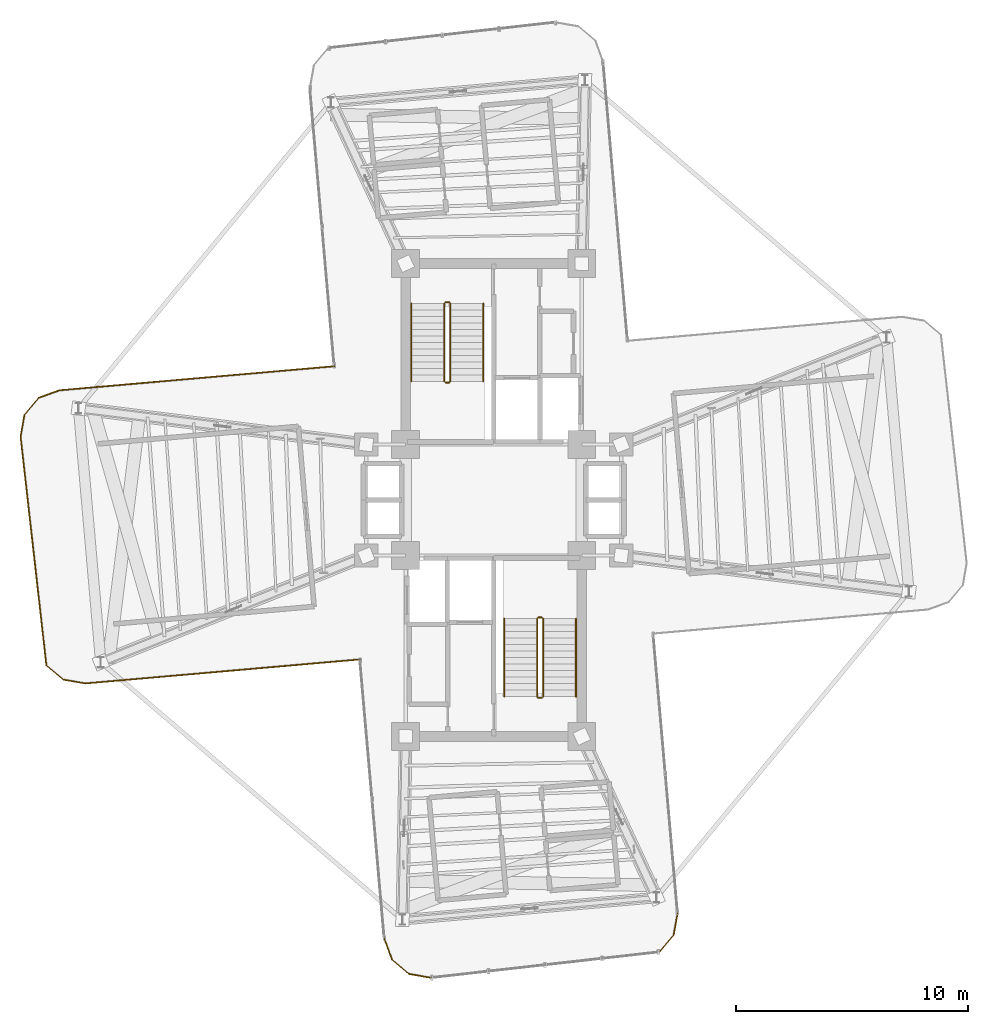
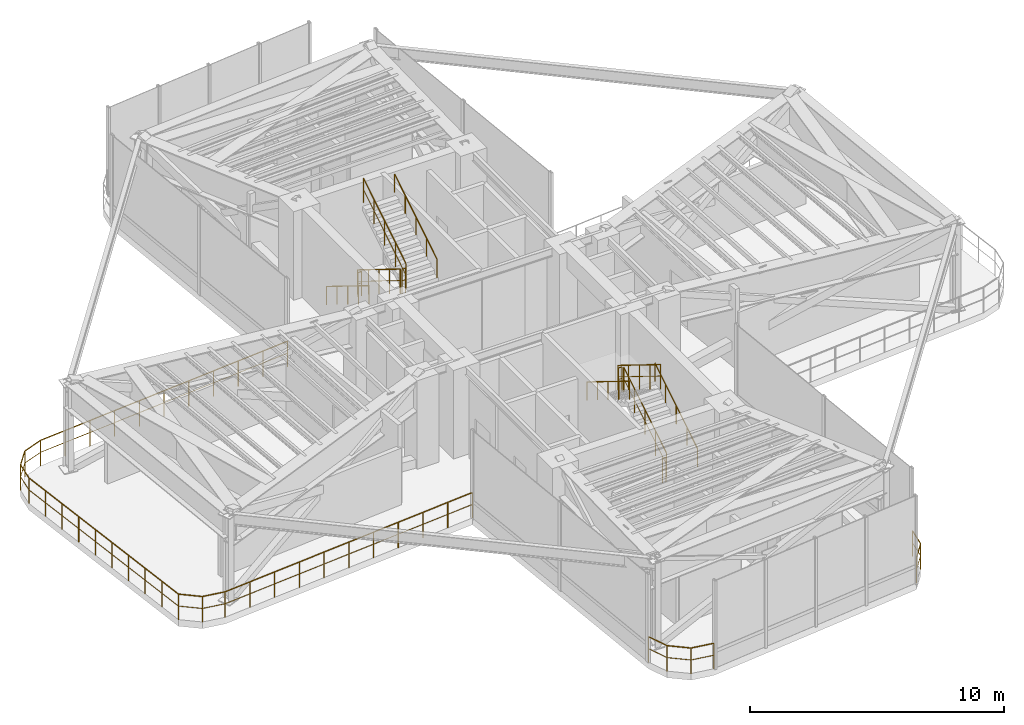
# One storey, part 16 of 17: 25 railings.
"""IFC4 building model written with IfcOpenShell, lengths in metres."""

from ifc_helpers import new_model, si_unit, direction, frame, origin, origin_2d, place, context, subcontext, project, spatial, circle, extrude, material, type_object, element, save


model = new_model("IFC4")

# Units and contexts
model_context = context("Model", 3, precision=1e-05, world=origin(), true_north=direction((0.0, 1.0)))
body_context = subcontext(model_context, "Body", "Model", "MODEL_VIEW")
ifc_project = project(units=[si_unit("LENGTHUNIT", "METRE"), si_unit("AREAUNIT", "SQUARE_METRE"), si_unit("VOLUMEUNIT", "CUBIC_METRE"), si_unit("PLANEANGLEUNIT", "RADIAN"), si_unit("MASSUNIT", "GRAM", prefix="KILO")], contexts=[model_context])

# Site, building, storey
site_placement = place(None, origin())
site = spatial("IfcSite", under=ifc_project, at=site_placement, CompositionType="ELEMENT")
building_placement = place(site_placement, origin())
building = spatial("IfcBuilding", under=site, at=building_placement, Name="Sahyath Konkavel Grand Hotel", CompositionType="ELEMENT")
storey_placement = place(building_placement, frame((0.0, 0.0, 202.0)))
storey = spatial("IfcBuildingStorey", under=building, at=storey_placement, Name="L56", CompositionType="ELEMENT", Elevation=202.0)

# Railings
ifc_material_1 = material(Name="Steel E350", Category="steel")
railing_type_1 = type_object("IfcRailingType", Name="RLG-STAIR-GRD", PredefinedType="GUARDRAIL", material=ifc_material_1)
railing_1_placement = place(storey_placement, frame((-2.1298828125, 8.47998046875, 0.173095703125)))
element("IfcRailing", 1, at=railing_1_placement, inside=storey, type_object=railing_type_1, Name="L56 ST-1 stair guard 1", PredefinedType="GUARDRAIL", context=body_context, shape_type="SweptSolid", body=[
    extrude(circle(Radius=0.02392578125, at=origin_2d()), frame((0.0, -0.001708984375, 1.177001953125), z_axis=(0.0, -0.850606129759, 0.525803396734), x_axis=(1.0, 0.0, 0.0)), (0.0, 0.0, 1.0), 3.946044921875),
    extrude(circle(Radius=0.01416015625, at=origin_2d()), frame((0.0, -0.001708984375, 0.625), z_axis=(0.0, -0.850606129759, 0.525803396734), x_axis=(1.0, 0.0, 0.0)), (0.0, 0.0, 1.0), 3.946044921875),
    extrude(circle(Radius=0.02099609375, at=origin_2d()), origin(), (0.0, 0.0, 1.0), 1.15185546875),
    extrude(circle(Radius=0.02099609375, at=origin_2d()), frame((0.0, -0.83984375, 0.519287109375)), (0.0, 0.0, 1.0), 1.15185546875),
    extrude(circle(Radius=0.02099609375, at=origin_2d()), frame((0.0, -1.679931640625, 1.03857421875)), (0.0, 0.0, 1.0), 1.15185546875),
    extrude(circle(Radius=0.02099609375, at=origin_2d()), frame((0.0, -2.52001953125, 1.5576171875)), (0.0, 0.0, 1.0), 1.15185546875),
    extrude(circle(Radius=0.02099609375, at=origin_2d()), frame((0.0, -3.35986328125, 2.076904296875)), (0.0, 0.0, 1.0), 1.15185546875),
])
railing_2_placement = place(storey_placement, frame((-2.080078125, 5.070068359375, 2.25)))
element("IfcRailing", 2, at=railing_2_placement, inside=storey, type_object=railing_type_1, Name="L56 ST-1 stair guard 2", PredefinedType="GUARDRAIL", context=body_context, shape_type="SweptSolid", body=[
    extrude(circle(Radius=0.02392578125, at=origin_2d()), frame((0.001953125, 0.0, 1.17578125), z_axis=(1.0, 0.0, 0.0), x_axis=(0.0, 1.0, 0.0)), (0.0, 0.0, 1.0), 0.15625),
    extrude(circle(Radius=0.01416015625, at=origin_2d()), frame((0.001953125, 0.0, 0.6240234375), z_axis=(1.0, 0.0, 0.0), x_axis=(0.0, 1.0, 0.0)), (0.0, 0.0, 1.0), 0.15625),
    extrude(circle(Radius=0.02099609375, at=origin_2d()), origin(), (0.0, 0.0, 1.0), 1.15185546875),
    extrude(circle(Radius=0.02099609375, at=origin_2d()), frame((0.16015625, 0.0, 0.0)), (0.0, 0.0, 1.0), 1.15185546875),
])
railing_3_placement = place(storey_placement, frame((-1.8701171875, 5.1201171875, 2.423095703125)))
element("IfcRailing", 3, at=railing_3_placement, inside=storey, type_object=railing_type_1, Name="L56 ST-1 stair guard 3", PredefinedType="GUARDRAIL", context=body_context, shape_type="SweptSolid", body=[
    extrude(circle(Radius=0.02392578125, at=origin_2d()), frame((0.0, 0.001708984375, 1.177001953125), z_axis=(0.0, 0.850606129759, 0.525803396734), x_axis=(-1.0, 0.0, 0.0)), (0.0, 0.0, 1.0), 3.946044921875),
    extrude(circle(Radius=0.01416015625, at=origin_2d()), frame((0.0, 0.001708984375, 0.625), z_axis=(0.0, 0.850606129759, 0.525803396734), x_axis=(-1.0, 0.0, 0.0)), (0.0, 0.0, 1.0), 3.946044921875),
    extrude(circle(Radius=0.02099609375, at=origin_2d()), origin(), (0.0, 0.0, 1.0), 1.15185546875),
    extrude(circle(Radius=0.02099609375, at=origin_2d()), frame((0.0, 0.83984375, 0.519287109375)), (0.0, 0.0, 1.0), 1.15185546875),
    extrude(circle(Radius=0.02099609375, at=origin_2d()), frame((0.0, 1.679931640625, 1.03857421875)), (0.0, 0.0, 1.0), 1.15185546875),
    extrude(circle(Radius=0.02099609375, at=origin_2d()), frame((0.0, 2.52001953125, 1.5576171875)), (0.0, 0.0, 1.0), 1.15185546875),
    extrude(circle(Radius=0.02099609375, at=origin_2d()), frame((0.0, 3.35986328125, 2.076904296875)), (0.0, 0.0, 1.0), 1.15185546875),
])
railing_4_placement = place(storey_placement, frame((-2.080078125, 8.530029296875, 0.0)))
element("IfcRailing", 4, at=railing_4_placement, inside=storey, type_object=railing_type_1, Name="L56 ST-1 stair guard 4", PredefinedType="GUARDRAIL", context=body_context, shape_type="SweptSolid", body=[
    extrude(circle(Radius=0.02392578125, at=origin_2d()), frame((0.001953125, 0.0, 1.17578125), z_axis=(1.0, 0.0, 0.0), x_axis=(0.0, 1.0, 0.0)), (0.0, 0.0, 1.0), 0.15625),
    extrude(circle(Radius=0.01416015625, at=origin_2d()), frame((0.001953125, 0.0, 0.6240234375), z_axis=(1.0, 0.0, 0.0), x_axis=(0.0, 1.0, 0.0)), (0.0, 0.0, 1.0), 0.15625),
    extrude(circle(Radius=0.02099609375, at=origin_2d()), origin(), (0.0, 0.0, 1.0), 1.15185546875),
    extrude(circle(Radius=0.02099609375, at=origin_2d()), frame((0.16015625, 0.0, 0.0)), (0.0, 0.0, 1.0), 1.15185546875),
])
railing_5_placement = place(storey_placement, frame((2.1298828125, -8.47998046875, 0.173095703125)))
element("IfcRailing", 5, at=railing_5_placement, inside=storey, type_object=railing_type_1, Name="L56 ST-2 stair guard 1", PredefinedType="GUARDRAIL", context=body_context, shape_type="SweptSolid", body=[
    extrude(circle(Radius=0.02392578125, at=origin_2d()), frame((0.0, 0.001708984375, 1.177001953125), z_axis=(0.0, 0.850606129759, 0.525803396734), x_axis=(-1.0, 0.0, 0.0)), (0.0, 0.0, 1.0), 3.946044921875),
    extrude(circle(Radius=0.01416015625, at=origin_2d()), frame((0.0, 0.001708984375, 0.625), z_axis=(0.0, 0.850606129759, 0.525803396734), x_axis=(-1.0, 0.0, 0.0)), (0.0, 0.0, 1.0), 3.946044921875),
    extrude(circle(Radius=0.02099609375, at=origin_2d()), origin(), (0.0, 0.0, 1.0), 1.15185546875),
    extrude(circle(Radius=0.02099609375, at=origin_2d()), frame((0.0, 0.83984375, 0.519287109375)), (0.0, 0.0, 1.0), 1.15185546875),
    extrude(circle(Radius=0.02099609375, at=origin_2d()), frame((0.0, 1.679931640625, 1.03857421875)), (0.0, 0.0, 1.0), 1.15185546875),
    extrude(circle(Radius=0.02099609375, at=origin_2d()), frame((0.0, 2.52001953125, 1.5576171875)), (0.0, 0.0, 1.0), 1.15185546875),
    extrude(circle(Radius=0.02099609375, at=origin_2d()), frame((0.0, 3.35986328125, 2.076904296875)), (0.0, 0.0, 1.0), 1.15185546875),
])
railing_6_placement = place(storey_placement, frame((2.080078125, -5.070068359375, 2.25)))
element("IfcRailing", 6, at=railing_6_placement, inside=storey, type_object=railing_type_1, Name="L56 ST-2 stair guard 2", PredefinedType="GUARDRAIL", context=body_context, shape_type="SweptSolid", body=[
    extrude(circle(Radius=0.02392578125, at=origin_2d()), frame((-0.001953125, 0.0, 1.17578125), z_axis=(-1.0, 0.0, 0.0), x_axis=(0.0, -1.0, 0.0)), (0.0, 0.0, 1.0), 0.15625),
    extrude(circle(Radius=0.01416015625, at=origin_2d()), frame((-0.001953125, 0.0, 0.6240234375), z_axis=(-1.0, 0.0, 0.0), x_axis=(0.0, -1.0, 0.0)), (0.0, 0.0, 1.0), 0.15625),
    extrude(circle(Radius=0.02099609375, at=origin_2d()), origin(), (0.0, 0.0, 1.0), 1.15185546875),
    extrude(circle(Radius=0.02099609375, at=origin_2d()), frame((-0.16015625, 0.0, 0.0)), (0.0, 0.0, 1.0), 1.15185546875),
])
railing_7_placement = place(storey_placement, frame((1.8701171875, -5.1201171875, 2.423095703125)))
element("IfcRailing", 7, at=railing_7_placement, inside=storey, type_object=railing_type_1, Name="L56 ST-2 stair guard 3", PredefinedType="GUARDRAIL", context=body_context, shape_type="SweptSolid", body=[
    extrude(circle(Radius=0.02392578125, at=origin_2d()), frame((0.0, -0.001708984375, 1.177001953125), z_axis=(0.0, -0.850606129759, 0.525803396734), x_axis=(1.0, 0.0, 0.0)), (0.0, 0.0, 1.0), 3.946044921875),
    extrude(circle(Radius=0.01416015625, at=origin_2d()), frame((0.0, -0.001708984375, 0.625), z_axis=(0.0, -0.850606129759, 0.525803396734), x_axis=(1.0, 0.0, 0.0)), (0.0, 0.0, 1.0), 3.946044921875),
    extrude(circle(Radius=0.02099609375, at=origin_2d()), origin(), (0.0, 0.0, 1.0), 1.15185546875),
    extrude(circle(Radius=0.02099609375, at=origin_2d()), frame((0.0, -0.83984375, 0.519287109375)), (0.0, 0.0, 1.0), 1.15185546875),
    extrude(circle(Radius=0.02099609375, at=origin_2d()), frame((0.0, -1.679931640625, 1.03857421875)), (0.0, 0.0, 1.0), 1.15185546875),
    extrude(circle(Radius=0.02099609375, at=origin_2d()), frame((0.0, -2.52001953125, 1.5576171875)), (0.0, 0.0, 1.0), 1.15185546875),
    extrude(circle(Radius=0.02099609375, at=origin_2d()), frame((0.0, -3.35986328125, 2.076904296875)), (0.0, 0.0, 1.0), 1.15185546875),
])
railing_8_placement = place(storey_placement, frame((2.080078125, -8.530029296875, 0.0)))
element("IfcRailing", 8, at=railing_8_placement, inside=storey, type_object=railing_type_1, Name="L56 ST-2 stair guard 4", PredefinedType="GUARDRAIL", context=body_context, shape_type="SweptSolid", body=[
    extrude(circle(Radius=0.02392578125, at=origin_2d()), frame((-0.001953125, 0.0, 1.17578125), z_axis=(-1.0, 0.0, 0.0), x_axis=(0.0, -1.0, 0.0)), (0.0, 0.0, 1.0), 0.15625),
    extrude(circle(Radius=0.01416015625, at=origin_2d()), frame((-0.001953125, 0.0, 0.6240234375), z_axis=(-1.0, 0.0, 0.0), x_axis=(0.0, -1.0, 0.0)), (0.0, 0.0, 1.0), 0.15625),
    extrude(circle(Radius=0.02099609375, at=origin_2d()), origin(), (0.0, 0.0, 1.0), 1.15185546875),
    extrude(circle(Radius=0.02099609375, at=origin_2d()), frame((-0.16015625, 0.0, 0.0)), (0.0, 0.0, 1.0), 1.15185546875),
])
ifc_material_2 = material(Name="Anodised Bronze Aluminium", Category="aluminium")
railing_type_2 = type_object("IfcRailingType", Name="RLG-STAIR-HND", PredefinedType="HANDRAIL", material=ifc_material_2)
railing_9_placement = place(storey_placement, frame((-3.550048828125, 8.47998046875, 0.173095703125)))
element("IfcRailing", 9, at=railing_9_placement, inside=storey, type_object=railing_type_2, Name="L56 ST-1 stair handrail 1", PredefinedType="HANDRAIL", context=body_context, shape_type="SweptSolid", body=[
    extrude(circle(Radius=0.02392578125, at=origin_2d()), frame((0.0, -0.001708984375, 0.876953125), z_axis=(0.0, -0.850606129759, 0.525803396734), x_axis=(1.0, 0.0, 0.0)), (0.0, 0.0, 1.0), 3.946044921875),
    extrude(circle(Radius=0.02099609375, at=origin_2d()), origin(), (0.0, 0.0, 1.0), 0.851806640625),
    extrude(circle(Radius=0.02099609375, at=origin_2d()), frame((0.0, -0.83984375, 0.519287109375)), (0.0, 0.0, 1.0), 0.851806640625),
    extrude(circle(Radius=0.02099609375, at=origin_2d()), frame((0.0, -1.679931640625, 1.03857421875)), (0.0, 0.0, 1.0), 0.851806640625),
    extrude(circle(Radius=0.02099609375, at=origin_2d()), frame((0.0, -2.52001953125, 1.5576171875)), (0.0, 0.0, 1.0), 0.851806640625),
    extrude(circle(Radius=0.02099609375, at=origin_2d()), frame((0.0, -3.35986328125, 2.076904296875)), (0.0, 0.0, 1.0), 0.851806640625),
])
for number, where, name in (
    (10, (-0.449951171875, 5.1201171875, 2.423095703125), "L56 ST-1 stair handrail 2"),
    (11, (3.550048828125, -8.47998046875, 0.173095703125), "L56 ST-2 stair handrail 1"),
):
    element("IfcRailing", number, at=place(storey_placement, frame(where)), inside=storey, type_object=railing_type_2, Name=name, PredefinedType="HANDRAIL", context=body_context, shape_type="SweptSolid", body=[
        extrude(circle(Radius=0.02392578125, at=origin_2d()), frame((0.0, 0.001708984375, 0.876953125), z_axis=(0.0, 0.850606129759, 0.525803396734), x_axis=(-1.0, 0.0, 0.0)), (0.0, 0.0, 1.0), 3.946044921875),
        extrude(circle(Radius=0.02099609375, at=origin_2d()), origin(), (0.0, 0.0, 1.0), 0.851806640625),
        extrude(circle(Radius=0.02099609375, at=origin_2d()), frame((0.0, 0.83984375, 0.519287109375)), (0.0, 0.0, 1.0), 0.851806640625),
        extrude(circle(Radius=0.02099609375, at=origin_2d()), frame((0.0, 1.679931640625, 1.03857421875)), (0.0, 0.0, 1.0), 0.851806640625),
        extrude(circle(Radius=0.02099609375, at=origin_2d()), frame((0.0, 2.52001953125, 1.5576171875)), (0.0, 0.0, 1.0), 0.851806640625),
        extrude(circle(Radius=0.02099609375, at=origin_2d()), frame((0.0, 3.35986328125, 2.076904296875)), (0.0, 0.0, 1.0), 0.851806640625),
    ])
railing_10_placement = place(storey_placement, frame((0.449951171875, -5.1201171875, 2.423095703125)))
element("IfcRailing", 12, at=railing_10_placement, inside=storey, type_object=railing_type_2, Name="L56 ST-2 stair handrail 2", PredefinedType="HANDRAIL", context=body_context, shape_type="SweptSolid", body=[
    extrude(circle(Radius=0.02392578125, at=origin_2d()), frame((0.0, -0.001708984375, 0.876953125), z_axis=(0.0, -0.850606129759, 0.525803396734), x_axis=(1.0, 0.0, 0.0)), (0.0, 0.0, 1.0), 3.946044921875),
    extrude(circle(Radius=0.02099609375, at=origin_2d()), origin(), (0.0, 0.0, 1.0), 0.851806640625),
    extrude(circle(Radius=0.02099609375, at=origin_2d()), frame((0.0, -0.83984375, 0.519287109375)), (0.0, 0.0, 1.0), 0.851806640625),
    extrude(circle(Radius=0.02099609375, at=origin_2d()), frame((0.0, -1.679931640625, 1.03857421875)), (0.0, 0.0, 1.0), 0.851806640625),
    extrude(circle(Radius=0.02099609375, at=origin_2d()), frame((0.0, -2.52001953125, 1.5576171875)), (0.0, 0.0, 1.0), 0.851806640625),
    extrude(circle(Radius=0.02099609375, at=origin_2d()), frame((0.0, -3.35986328125, 2.076904296875)), (0.0, 0.0, 1.0), 0.851806640625),
])
ifc_material_3 = material(Name="Warm Buff Sandstone & Bronze Balustrade", Category="masonry")
railing_type_3 = type_object("IfcRailingType", Name="RLG-TERR-1250", PredefinedType="BALUSTRADE", material=ifc_material_3)
railing_11_placement = place(storey_placement, frame((-6.87939453125, 5.7724609375, 0.0)))
element("IfcRailing", 13, at=railing_11_placement, inside=storey, type_object=railing_type_3, Name="L56 Fire Refuge Perimeter Guard 16", PredefinedType="BALUSTRADE", context=body_context, shape_type="SweptSolid", body=[
    extrude(circle(Radius=0.02392578125, at=origin_2d()), frame((-0.001953125, -0.000244140625, 1.22607421875), z_axis=(-0.996193093931, -0.08717407645, 0.0), x_axis=(0.08717407645, -0.996193093931, 0.0)), (0.0, 0.0, 1.0), 11.895751953125),
    extrude(circle(Radius=0.01416015625, at=origin_2d()), frame((-0.001953125, -0.000244140625, 0.64990234375), z_axis=(-0.996193093931, -0.08717407645, 0.0), x_axis=(0.08717407645, -0.996193093931, 0.0)), (0.0, 0.0, 1.0), 11.895751953125),
    extrude(circle(Radius=0.02099609375, at=origin_2d()), origin(), (0.0, 0.0, 1.0), 1.201904296875),
    extrude(circle(Radius=0.02099609375, at=origin_2d()), frame((-1.185546875, -0.103759765625, 0.0)), (0.0, 0.0, 1.0), 1.201904296875),
    extrude(circle(Radius=0.02099609375, at=origin_2d()), frame((-2.370849609375, -0.20751953125, 0.0)), (0.0, 0.0, 1.0), 1.201904296875),
    extrude(circle(Radius=0.02099609375, at=origin_2d()), frame((-3.556396484375, -0.311279296875, 0.0)), (0.0, 0.0, 1.0), 1.201904296875),
    extrude(circle(Radius=0.02099609375, at=origin_2d()), frame((-4.74169921875, -0.4150390625, 0.0)), (0.0, 0.0, 1.0), 1.201904296875),
    extrude(circle(Radius=0.02099609375, at=origin_2d()), frame((-5.92724609375, -0.5185546875, 0.0)), (0.0, 0.0, 1.0), 1.201904296875),
    extrude(circle(Radius=0.02099609375, at=origin_2d()), frame((-7.11279296875, -0.622314453125, 0.0)), (0.0, 0.0, 1.0), 1.201904296875),
    extrude(circle(Radius=0.02099609375, at=origin_2d()), frame((-8.298095703125, -0.72607421875, 0.0)), (0.0, 0.0, 1.0), 1.201904296875),
    extrude(circle(Radius=0.02099609375, at=origin_2d()), frame((-9.483642578125, -0.829833984375, 0.0)), (0.0, 0.0, 1.0), 1.201904296875),
    extrude(circle(Radius=0.02099609375, at=origin_2d()), frame((-10.6689453125, -0.93359375, 0.0)), (0.0, 0.0, 1.0), 1.201904296875),
    extrude(circle(Radius=0.02099609375, at=origin_2d()), frame((-11.8544921875, -1.037353515625, 0.0)), (0.0, 0.0, 1.0), 1.201904296875),
])
railing_12_placement = place(storey_placement, frame((-18.73388671875, 4.735107421875, 0.0)))
element("IfcRailing", 14, at=railing_12_placement, inside=storey, type_object=railing_type_3, Name="L56 Fire Refuge Perimeter Guard 17", PredefinedType="BALUSTRADE", context=body_context, shape_type="SweptSolid", body=[
    extrude(circle(Radius=0.02392578125, at=origin_2d()), frame((-0.001953125, -0.000732421875, 1.22607421875), z_axis=(-0.939741306239, -0.34188635151, 0.0), x_axis=(0.34188635151, -0.939741306239, 0.0)), (0.0, 0.0, 1.0), 0.95361328125),
    extrude(circle(Radius=0.01416015625, at=origin_2d()), frame((-0.001953125, -0.000732421875, 0.64990234375), z_axis=(-0.939741306239, -0.34188635151, 0.0), x_axis=(0.34188635151, -0.939741306239, 0.0)), (0.0, 0.0, 1.0), 0.95361328125),
    extrude(circle(Radius=0.02099609375, at=origin_2d()), origin(), (0.0, 0.0, 1.0), 1.201904296875),
    extrude(circle(Radius=0.02099609375, at=origin_2d()), frame((-0.89990234375, -0.327392578125, 0.0)), (0.0, 0.0, 1.0), 1.201904296875),
])
railing_13_placement = place(storey_placement, frame((-19.6337890625, 4.40771484375, 0.0)))
element("IfcRailing", 15, at=railing_13_placement, inside=storey, type_object=railing_type_3, Name="L56 Fire Refuge Perimeter Guard 18", PredefinedType="BALUSTRADE", context=body_context, shape_type="SweptSolid", body=[
    extrude(circle(Radius=0.02392578125, at=origin_2d()), frame((-0.001220703125, -0.00146484375, 1.22607421875), z_axis=(-0.642863236823, -0.765980978054, 0.0), x_axis=(0.765980978054, -0.642863236823, 0.0)), (0.0, 0.0, 1.0), 0.953857421875),
    extrude(circle(Radius=0.01416015625, at=origin_2d()), frame((-0.001220703125, -0.00146484375, 0.64990234375), z_axis=(-0.642863236823, -0.765980978054, 0.0), x_axis=(0.765980978054, -0.642863236823, 0.0)), (0.0, 0.0, 1.0), 0.953857421875),
    extrude(circle(Radius=0.02099609375, at=origin_2d()), origin(), (0.0, 0.0, 1.0), 1.201904296875),
    extrude(circle(Radius=0.02099609375, at=origin_2d()), frame((-0.61572265625, -0.733642578125, 0.0)), (0.0, 0.0, 1.0), 1.201904296875),
])
railing_14_placement = place(storey_placement, frame((-20.24951171875, 3.674072265625, 0.0)))
element("IfcRailing", 16, at=railing_14_placement, inside=storey, type_object=railing_type_3, Name="L56 Fire Refuge Perimeter Guard 19", PredefinedType="BALUSTRADE", context=body_context, shape_type="SweptSolid", body=[
    extrude(circle(Radius=0.02392578125, at=origin_2d()), frame((-0.000244140625, -0.001953125, 1.22607421875), z_axis=(-0.173610811841, -0.984814340885, 0.0), x_axis=(0.984814340885, -0.173610811841, 0.0)), (0.0, 0.0, 1.0), 0.95361328125),
    extrude(circle(Radius=0.01416015625, at=origin_2d()), frame((-0.000244140625, -0.001953125, 0.64990234375), z_axis=(-0.173610811841, -0.984814340885, 0.0), x_axis=(0.984814340885, -0.173610811841, 0.0)), (0.0, 0.0, 1.0), 0.95361328125),
    extrude(circle(Radius=0.02099609375, at=origin_2d()), origin(), (0.0, 0.0, 1.0), 1.201904296875),
    extrude(circle(Radius=0.02099609375, at=origin_2d()), frame((-0.166259765625, -0.943115234375, 0.0)), (0.0, 0.0, 1.0), 1.201904296875),
])
railing_15_placement = place(storey_placement, frame((-20.415771484375, 2.73095703125, 0.0)))
element("IfcRailing", 17, at=railing_15_placement, inside=storey, type_object=railing_type_3, Name="L56 Fire Refuge Perimeter Guard 20", PredefinedType="BALUSTRADE", context=body_context, shape_type="SweptSolid", body=[
    extrude(circle(Radius=0.02392578125, at=origin_2d()), frame((0.000244140625, -0.001953125, 1.22607421875), z_axis=(0.112013021746, -0.993706738912, 0.0), x_axis=(0.993706738912, 0.112013021746, 0.0)), (0.0, 0.0, 1.0), 9.924072265625),
    extrude(circle(Radius=0.01416015625, at=origin_2d()), frame((0.000244140625, -0.001953125, 0.64990234375), z_axis=(0.112013021746, -0.993706738912, 0.0), x_axis=(0.993706738912, 0.112013021746, 0.0)), (0.0, 0.0, 1.0), 9.924072265625),
    extrude(circle(Radius=0.02099609375, at=origin_2d()), origin(), (0.0, 0.0, 1.0), 1.201904296875),
    extrude(circle(Radius=0.02099609375, at=origin_2d()), frame((0.12353515625, -1.09619140625, 0.0)), (0.0, 0.0, 1.0), 1.201904296875),
    extrude(circle(Radius=0.02099609375, at=origin_2d()), frame((0.2470703125, -2.1923828125, 0.0)), (0.0, 0.0, 1.0), 1.201904296875),
    extrude(circle(Radius=0.02099609375, at=origin_2d()), frame((0.37060546875, -3.28857421875, 0.0)), (0.0, 0.0, 1.0), 1.201904296875),
    extrude(circle(Radius=0.02099609375, at=origin_2d()), frame((0.494140625, -4.384765625, 0.0)), (0.0, 0.0, 1.0), 1.201904296875),
    extrude(circle(Radius=0.02099609375, at=origin_2d()), frame((0.617919921875, -5.480712890625, 0.0)), (0.0, 0.0, 1.0), 1.201904296875),
    extrude(circle(Radius=0.02099609375, at=origin_2d()), frame((0.741455078125, -6.576904296875, 0.0)), (0.0, 0.0, 1.0), 1.201904296875),
    extrude(circle(Radius=0.02099609375, at=origin_2d()), frame((0.864990234375, -7.673095703125, 0.0)), (0.0, 0.0, 1.0), 1.201904296875),
    extrude(circle(Radius=0.02099609375, at=origin_2d()), frame((0.988525390625, -8.769287109375, 0.0)), (0.0, 0.0, 1.0), 1.201904296875),
    extrude(circle(Radius=0.02099609375, at=origin_2d()), frame((1.112060546875, -9.865478515625, 0.0)), (0.0, 0.0, 1.0), 1.201904296875),
])
railing_16_placement = place(storey_placement, frame((-19.3037109375, -7.134521484375, 0.0)))
element("IfcRailing", 18, at=railing_16_placement, inside=storey, type_object=railing_type_3, Name="L56 Fire Refuge Perimeter Guard 21", PredefinedType="BALUSTRADE", context=body_context, shape_type="SweptSolid", body=[
    extrude(circle(Radius=0.02392578125, at=origin_2d()), frame((0.00146484375, -0.001220703125, 1.22607421875), z_axis=(0.766001159887, -0.642839189107, 0.0), x_axis=(0.642839189107, 0.766001159887, 0.0)), (0.0, 0.0, 1.0), 0.953369140625),
    extrude(circle(Radius=0.01416015625, at=origin_2d()), frame((0.00146484375, -0.001220703125, 0.64990234375), z_axis=(0.766001159887, -0.642839189107, 0.0), x_axis=(0.642839189107, 0.766001159887, 0.0)), (0.0, 0.0, 1.0), 0.953369140625),
    extrude(circle(Radius=0.02099609375, at=origin_2d()), origin(), (0.0, 0.0, 1.0), 1.201904296875),
    extrude(circle(Radius=0.02099609375, at=origin_2d()), frame((0.7333984375, -0.615478515625, 0.0)), (0.0, 0.0, 1.0), 1.201904296875),
])
railing_17_placement = place(storey_placement, frame((-18.5703125, -7.75, 0.0)))
element("IfcRailing", 19, at=railing_17_placement, inside=storey, type_object=railing_type_3, Name="L56 Fire Refuge Perimeter Guard 22", PredefinedType="BALUSTRADE", context=body_context, shape_type="SweptSolid", body=[
    extrude(circle(Radius=0.02392578125, at=origin_2d()), frame((0.001953125, -0.000244140625, 1.22607421875), z_axis=(0.984770724397, -0.173858046606, 0.0), x_axis=(0.173858046606, 0.984770724397, 0.0)), (0.0, 0.0, 1.0), 0.95361328125),
    extrude(circle(Radius=0.01416015625, at=origin_2d()), frame((0.001953125, -0.000244140625, 0.64990234375), z_axis=(0.984770724397, -0.173858046606, 0.0), x_axis=(0.173858046606, 0.984770724397, 0.0)), (0.0, 0.0, 1.0), 0.95361328125),
    extrude(circle(Radius=0.02099609375, at=origin_2d()), origin(), (0.0, 0.0, 1.0), 1.201904296875),
    extrude(circle(Radius=0.02099609375, at=origin_2d()), frame((0.943115234375, -0.16650390625, 0.0)), (0.0, 0.0, 1.0), 1.201904296875),
])
railing_18_placement = place(storey_placement, frame((-17.627197265625, -7.91650390625, 0.0)))
element("IfcRailing", 20, at=railing_18_placement, inside=storey, type_object=railing_type_3, Name="L56 Fire Refuge Perimeter Guard 23", PredefinedType="BALUSTRADE", context=body_context, shape_type="SweptSolid", body=[
    extrude(circle(Radius=0.02392578125, at=origin_2d()), frame((0.001953125, 0.000244140625, 1.22607421875), z_axis=(0.996195031246, 0.08715193469, 0.0), x_axis=(-0.08715193469, 0.996195031246, 0.0)), (0.0, 0.0, 1.0), 11.89599609375),
    extrude(circle(Radius=0.01416015625, at=origin_2d()), frame((0.001953125, 0.000244140625, 0.64990234375), z_axis=(0.996195031246, 0.08715193469, 0.0), x_axis=(-0.08715193469, 0.996195031246, 0.0)), (0.0, 0.0, 1.0), 11.89599609375),
    extrude(circle(Radius=0.02099609375, at=origin_2d()), origin(), (0.0, 0.0, 1.0), 1.201904296875),
    extrude(circle(Radius=0.02099609375, at=origin_2d()), frame((1.185546875, 0.103759765625, 0.0)), (0.0, 0.0, 1.0), 1.201904296875),
    extrude(circle(Radius=0.02099609375, at=origin_2d()), frame((2.370849609375, 0.20751953125, 0.0)), (0.0, 0.0, 1.0), 1.201904296875),
    extrude(circle(Radius=0.02099609375, at=origin_2d()), frame((3.556396484375, 0.31103515625, 0.0)), (0.0, 0.0, 1.0), 1.201904296875),
    extrude(circle(Radius=0.02099609375, at=origin_2d()), frame((4.741943359375, 0.414794921875, 0.0)), (0.0, 0.0, 1.0), 1.201904296875),
    extrude(circle(Radius=0.02099609375, at=origin_2d()), frame((5.92724609375, 0.5185546875, 0.0)), (0.0, 0.0, 1.0), 1.201904296875),
    extrude(circle(Radius=0.02099609375, at=origin_2d()), frame((7.11279296875, 0.622314453125, 0.0)), (0.0, 0.0, 1.0), 1.201904296875),
    extrude(circle(Radius=0.02099609375, at=origin_2d()), frame((8.29833984375, 0.72607421875, 0.0)), (0.0, 0.0, 1.0), 1.201904296875),
    extrude(circle(Radius=0.02099609375, at=origin_2d()), frame((9.48388671875, 0.82958984375, 0.0)), (0.0, 0.0, 1.0), 1.201904296875),
    extrude(circle(Radius=0.02099609375, at=origin_2d()), frame((10.669189453125, 0.933349609375, 0.0)), (0.0, 0.0, 1.0), 1.201904296875),
    extrude(circle(Radius=0.02099609375, at=origin_2d()), frame((11.854736328125, 1.037109375, 0.0)), (0.0, 0.0, 1.0), 1.201904296875),
])
railing_19_placement = place(storey_placement, frame((-4.7177734375, -18.93310546875, 0.0)))
element("IfcRailing", 21, at=railing_19_placement, inside=storey, type_object=railing_type_3, Name="L56 Fire Refuge Perimeter Guard 25", PredefinedType="BALUSTRADE", context=body_context, shape_type="SweptSolid", body=[
    extrude(circle(Radius=0.02392578125, at=origin_2d()), frame((0.000732421875, -0.001953125, 1.22607421875), z_axis=(0.34188635151, -0.939741306239, 0.0), x_axis=(0.939741306239, 0.34188635151, 0.0)), (0.0, 0.0, 1.0), 0.95361328125),
    extrude(circle(Radius=0.01416015625, at=origin_2d()), frame((0.000732421875, -0.001953125, 0.64990234375), z_axis=(0.34188635151, -0.939741306239, 0.0), x_axis=(0.939741306239, 0.34188635151, 0.0)), (0.0, 0.0, 1.0), 0.95361328125),
    extrude(circle(Radius=0.02099609375, at=origin_2d()), origin(), (0.0, 0.0, 1.0), 1.201904296875),
    extrude(circle(Radius=0.02099609375, at=origin_2d()), frame((0.327392578125, -0.89990234375, 0.0)), (0.0, 0.0, 1.0), 1.201904296875),
])
railing_20_placement = place(storey_placement, frame((-4.390380859375, -19.8330078125, 0.0)))
element("IfcRailing", 22, at=railing_20_placement, inside=storey, type_object=railing_type_3, Name="L56 Fire Refuge Perimeter Guard 26", PredefinedType="BALUSTRADE", context=body_context, shape_type="SweptSolid", body=[
    extrude(circle(Radius=0.02392578125, at=origin_2d()), frame((0.00146484375, -0.001220703125, 1.22607421875), z_axis=(0.765980978054, -0.642863236823, 0.0), x_axis=(0.642863236823, 0.765980978054, 0.0)), (0.0, 0.0, 1.0), 0.953857421875),
    extrude(circle(Radius=0.01416015625, at=origin_2d()), frame((0.00146484375, -0.001220703125, 0.64990234375), z_axis=(0.765980978054, -0.642863236823, 0.0), x_axis=(0.642863236823, 0.765980978054, 0.0)), (0.0, 0.0, 1.0), 0.953857421875),
    extrude(circle(Radius=0.02099609375, at=origin_2d()), origin(), (0.0, 0.0, 1.0), 1.201904296875),
    extrude(circle(Radius=0.02099609375, at=origin_2d()), frame((0.733642578125, -0.61572265625, 0.0)), (0.0, 0.0, 1.0), 1.201904296875),
])
railing_21_placement = place(storey_placement, frame((-3.65673828125, -20.44873046875, 0.0)))
element("IfcRailing", 23, at=railing_21_placement, inside=storey, type_object=railing_type_3, Name="L56 Fire Refuge Perimeter Guard 27", PredefinedType="BALUSTRADE", context=body_context, shape_type="SweptSolid", body=[
    extrude(circle(Radius=0.02392578125, at=origin_2d()), frame((0.001953125, -0.000244140625, 1.22607421875), z_axis=(0.984814340885, -0.173610811841, 0.0), x_axis=(0.173610811841, 0.984814340885, 0.0)), (0.0, 0.0, 1.0), 0.95361328125),
    extrude(circle(Radius=0.01416015625, at=origin_2d()), frame((0.001953125, -0.000244140625, 0.64990234375), z_axis=(0.984814340885, -0.173610811841, 0.0), x_axis=(0.173610811841, 0.984814340885, 0.0)), (0.0, 0.0, 1.0), 0.95361328125),
    extrude(circle(Radius=0.02099609375, at=origin_2d()), origin(), (0.0, 0.0, 1.0), 1.201904296875),
    extrude(circle(Radius=0.02099609375, at=origin_2d()), frame((0.943115234375, -0.166259765625, 0.0)), (0.0, 0.0, 1.0), 1.201904296875),
])
railing_22_placement = place(storey_placement, frame((7.152099609375, -19.5029296875, 0.0)))
element("IfcRailing", 24, at=railing_22_placement, inside=storey, type_object=railing_type_3, Name="L56 Fire Refuge Perimeter Guard 29", PredefinedType="BALUSTRADE", context=body_context, shape_type="SweptSolid", body=[
    extrude(circle(Radius=0.02392578125, at=origin_2d()), frame((0.001220703125, 0.00146484375, 1.22607421875), z_axis=(0.642713642115, 0.766106503196, 0.0), x_axis=(-0.766106503196, 0.642713642115, 0.0)), (0.0, 0.0, 1.0), 0.95361328125),
    extrude(circle(Radius=0.01416015625, at=origin_2d()), frame((0.001220703125, 0.00146484375, 0.64990234375), z_axis=(0.642713642115, 0.766106503196, 0.0), x_axis=(-0.766106503196, 0.642713642115, 0.0)), (0.0, 0.0, 1.0), 0.95361328125),
    extrude(circle(Radius=0.02099609375, at=origin_2d()), origin(), (0.0, 0.0, 1.0), 1.201904296875),
    extrude(circle(Radius=0.02099609375, at=origin_2d()), frame((0.615478515625, 0.733642578125, 0.0)), (0.0, 0.0, 1.0), 1.201904296875),
])
railing_23_placement = place(storey_placement, frame((7.767578125, -18.769287109375, 0.0)))
element("IfcRailing", 25, at=railing_23_placement, inside=storey, type_object=railing_type_3, Name="L56 Fire Refuge Perimeter Guard 30", PredefinedType="BALUSTRADE", context=body_context, shape_type="SweptSolid", body=[
    extrude(circle(Radius=0.02392578125, at=origin_2d()), frame((0.000244140625, 0.001953125, 1.22607421875), z_axis=(0.173654409999, 0.984806654064, 0.0), x_axis=(-0.984806654064, 0.173654409999, 0.0)), (0.0, 0.0, 1.0), 0.953369140625),
    extrude(circle(Radius=0.01416015625, at=origin_2d()), frame((0.000244140625, 0.001953125, 0.64990234375), z_axis=(0.173654409999, 0.984806654064, 0.0), x_axis=(-0.984806654064, 0.173654409999, 0.0)), (0.0, 0.0, 1.0), 0.953369140625),
    extrude(circle(Radius=0.02099609375, at=origin_2d()), origin(), (0.0, 0.0, 1.0), 1.201904296875),
    extrude(circle(Radius=0.02099609375, at=origin_2d()), frame((0.166259765625, 0.94287109375, 0.0)), (0.0, 0.0, 1.0), 1.201904296875),
])

save(model, "model.ifc")
